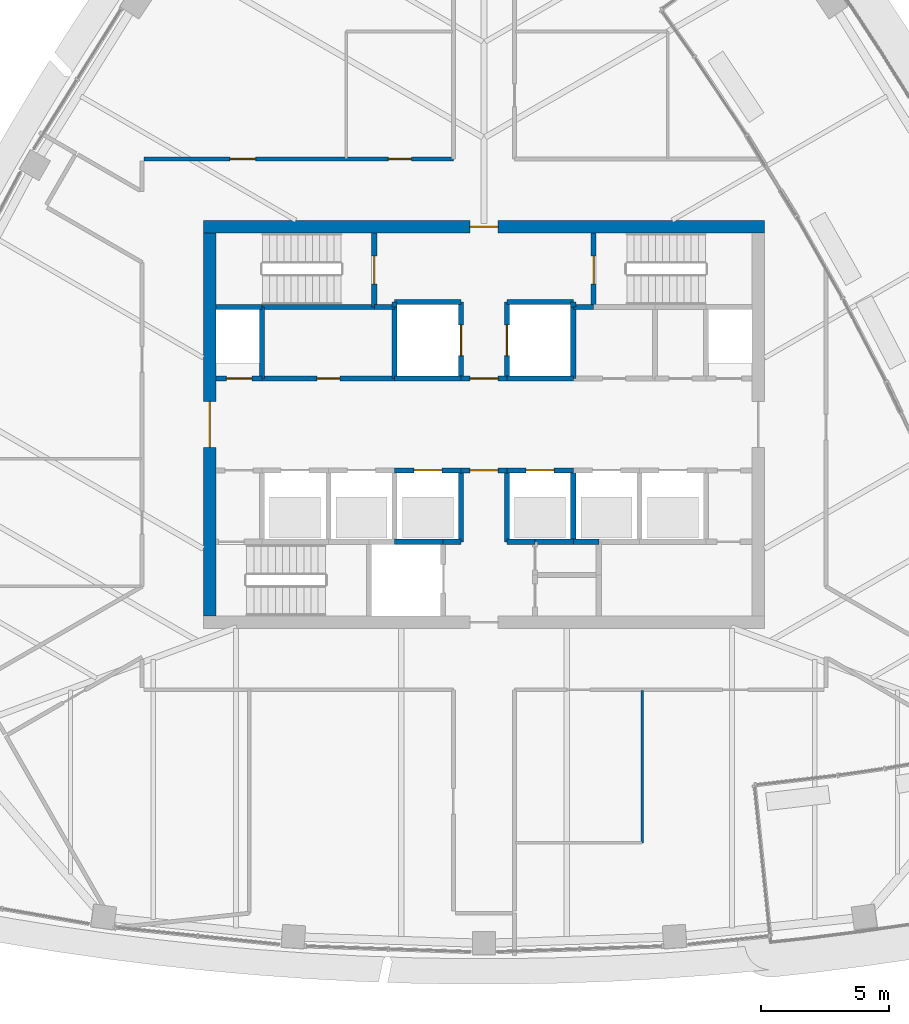
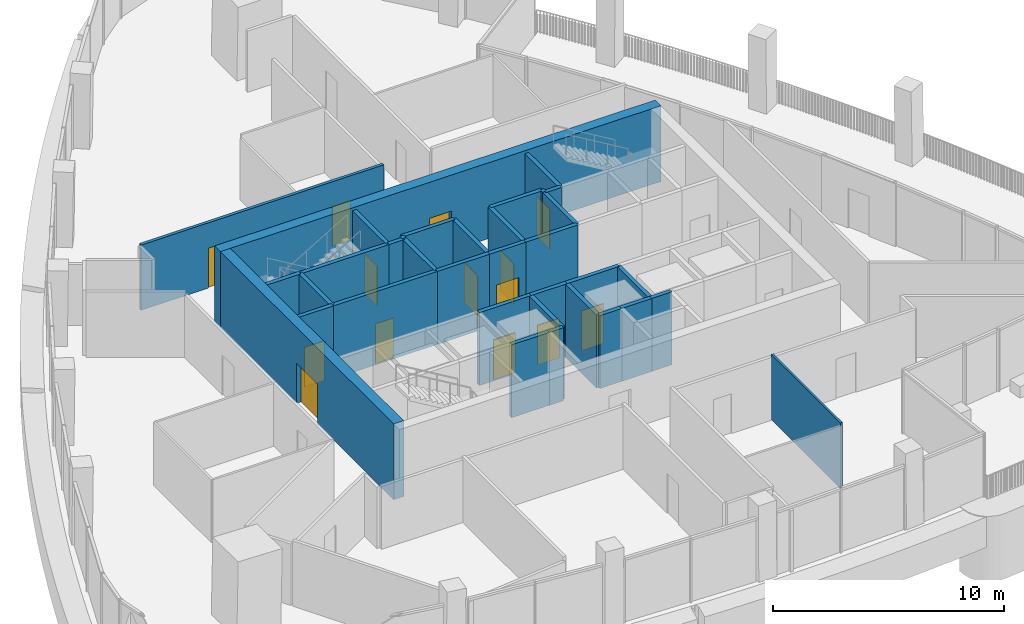
# One storey, part 12 of 20: 35 walls, 14 doors, 14 openings.
"""IFC4 building model written with IfcOpenShell, lengths in metres."""

from ifc_helpers import new_model, si_unit, direction, frame, frame_2d, origin, place, context, subcontext, project, spatial, rectangle, extrude, material, layer, layer_set, type_object, element, fill, save


model = new_model("IFC4")

# Units and contexts
model_context = context("Model", 3, precision=1e-05, world=origin(), true_north=direction((0.0, 1.0)))
body_context = subcontext(model_context, "Body", "Model", "MODEL_VIEW")
ifc_project = project(units=[si_unit("LENGTHUNIT", "METRE"), si_unit("AREAUNIT", "SQUARE_METRE"), si_unit("VOLUMEUNIT", "CUBIC_METRE"), si_unit("PLANEANGLEUNIT", "RADIAN"), si_unit("MASSUNIT", "GRAM", prefix="KILO")], contexts=[model_context])

# Site, building, storey
site_placement = place(None, origin())
site = spatial("IfcSite", under=ifc_project, at=site_placement, CompositionType="ELEMENT")
building_placement = place(site_placement, origin())
building = spatial("IfcBuilding", under=site, at=building_placement, Name="Sierra Prisma Convention Tower", CompositionType="ELEMENT")
storey_placement = place(building_placement, frame((0.0, 0.0, 275.0)))
storey = spatial("IfcBuildingStorey", under=building, at=storey_placement, Name="L62", CompositionType="ELEMENT", Elevation=275.0)

# Wall
ifc_material_1 = material(Name="Gypsum board partition", Category="gypsum")
ifc_layer_1 = layer(ifc_material_1, 0.10009765625)
ifc_layer_set_1 = layer_set([ifc_layer_1], Name="Bathroom partition 100")
wall_type_1 = type_object("IfcWallType", Name="Bathroom partition 100", PredefinedType="PARTITIONING", material=ifc_layer_set_1)
wall_1_placement = place(storey_placement, frame((6.199951171875, -10.429931640625, 0.0), z_axis=(0.0, 0.0, 1.0), x_axis=(0.0, -1.0, 0.0)))
element("IfcWall", 1, at=wall_1_placement, inside=storey, type_object=wall_type_1, Name="Partition L62 bath 6", PredefinedType="PARTITIONING", context=body_context, shape_type="SweptSolid", body=[
    extrude(rectangle(XDim=5.969970703125, YDim=0.10009765625, at=frame_2d((2.98486328125, 0.0))), origin(), (0.0, 0.0, 1.0), 3.449951171875),
])

# Wall, opening, door
ifc_material_2 = material(Name="Concrete C30/37", Category="concrete")
ifc_layer_2 = layer(ifc_material_2, 0.199951171875)
ifc_layer_set_2 = layer_set([ifc_layer_2], Name="Core wall RC 200 C30/37")
wall_type_2 = type_object("IfcWallType", Name="Core wall RC 200 C30/37", PredefinedType="SOLIDWALL", material=ifc_layer_set_2)
wall_2_placement = place(storey_placement, frame((-8.699951171875, 1.800048828125, 0.0), z_axis=(0.0, 0.0, 1.0), x_axis=(-1.0, 0.0, 0.0)))
wall_2 = element("IfcWall", 2, at=wall_2_placement, inside=storey, type_object=wall_type_2, Name="Core wall L62 3", PredefinedType="SOLIDWALL", context=body_context, shape_type="SweptSolid", body=[
    extrude(rectangle(XDim=1.800048828125, YDim=0.199951171875, at=frame_2d((0.89990234375, 0.0))), origin(), (0.0, 0.0, 1.0), 3.85009765625),
])
opening_1_placement = place(wall_2_placement, frame((0.39990234375, 0.0, 0.0)))
opening_1 = element("IfcOpeningElement", 3, at=opening_1_placement, cuts=wall_2, Name="Opening L62-D015", PredefinedType="OPENING", context=body_context, shape_type="SweptSolid", body=[
    extrude(rectangle(XDim=1.0, YDim=2.10009765625, at=frame_2d((0.5, 1.050048828125))), frame((0.0, 0.10009765625, 0.0), z_axis=(0.0, -1.0, 0.0), x_axis=(1.0, 0.0, 0.0)), (0.0, 0.0, 1.0), 0.199951171875),
])
ifc_material_3 = material(Name="Steel fire door leaf", Category="steel")
door_type_1 = type_object("IfcDoorType", Name="Door 1000x2100 FD60S", OperationType="SINGLE_SWING_LEFT", PredefinedType="DOOR", material=ifc_material_3)
door_1_placement = place(opening_1_placement, origin())
door_1 = element("IfcDoor", 4, at=door_1_placement, inside=storey, type_object=door_type_1, Name="Door L62 24", OperationType="SINGLE_SWING_RIGHT", OverallHeight=2.10009765625, OverallWidth=1.0, PredefinedType="DOOR", context=body_context, shape_type="SweptSolid", body=[
    extrude(rectangle(XDim=1.0, YDim=2.10009765625, at=frame_2d((0.5, 1.050048828125))), frame((0.0, 0.02490234375, 0.0), z_axis=(0.0, -1.0, 0.0), x_axis=(1.0, 0.0, 0.0)), (0.0, 0.0, 1.0), 0.050048828125),
])
fill(opening_1, door_1)

# Wall
wall_3_placement = place(storey_placement, frame((-8.699951171875, 4.60009765625, 0.0), z_axis=(0.0, 0.0, 1.0), x_axis=(-1.0, 0.0, 0.0)))
element("IfcWall", 5, at=wall_3_placement, inside=storey, type_object=wall_type_2, Name="Core wall L62 4", PredefinedType="SOLIDWALL", context=body_context, shape_type="SweptSolid", body=[
    extrude(rectangle(XDim=1.800048828125, YDim=0.199951171875, at=frame_2d((0.89990234375, 0.0))), origin(), (0.0, 0.0, 1.0), 3.85009765625),
])

# Wall, opening, door
wall_4_placement = place(storey_placement, frame((-8.699951171875, 1.800048828125, 0.0), z_axis=(0.0, 0.0, 1.0), x_axis=(1.0, 0.0, 0.0)))
wall_4 = element("IfcWall", 6, at=wall_4_placement, inside=storey, type_object=wall_type_2, Name="Core wall L62 8", PredefinedType="SOLIDWALL", context=body_context, shape_type="SweptSolid", body=[
    extrude(rectangle(XDim=5.199951171875, YDim=0.199951171875, at=frame_2d((2.60009765625, 0.0))), origin(), (0.0, 0.0, 1.0), 3.85009765625),
])
opening_2_placement = place(wall_4_placement, frame((2.14990234375, 0.0, 0.0)))
opening_2 = element("IfcOpeningElement", 7, at=opening_2_placement, cuts=wall_4, Name="Opening L62-D022", PredefinedType="OPENING", context=body_context, shape_type="SweptSolid", body=[
    extrude(rectangle(XDim=0.89990234375, YDim=2.10009765625, at=frame_2d((0.449951171875, 1.050048828125))), frame((0.0, 0.10009765625, 0.0), z_axis=(0.0, -1.0, 0.0), x_axis=(1.0, 0.0, 0.0)), (0.0, 0.0, 1.0), 0.199951171875),
])
ifc_material_4 = material(Name="Steel fire door leaf", Category="steel")
door_type_2 = type_object("IfcDoorType", Name="Door 900x2100 FD30S", OperationType="SINGLE_SWING_LEFT", PredefinedType="DOOR", material=ifc_material_4)
door_2_placement = place(opening_2_placement, origin())
door_2 = element("IfcDoor", 8, at=door_2_placement, inside=storey, type_object=door_type_2, Name="Door L62 31", OperationType="SINGLE_SWING_LEFT", OverallHeight=2.10009765625, OverallWidth=0.89990234375, PredefinedType="DOOR", context=body_context, shape_type="SweptSolid", body=[
    extrude(rectangle(XDim=0.89990234375, YDim=2.10009765625, at=frame_2d((0.449951171875, 1.050048828125))), frame((0.0, 0.02490234375, 0.0), z_axis=(0.0, -1.0, 0.0), x_axis=(1.0, 0.0, 0.0)), (0.0, 0.0, 1.0), 0.050048828125),
])
fill(opening_2, door_2)

# Walls
wall_5_placement = place(storey_placement, frame((-8.699951171875, 4.60009765625, 0.0), z_axis=(0.0, 0.0, 1.0), x_axis=(0.0, -1.0, 0.0)))
element("IfcWall", 9, at=wall_5_placement, inside=storey, type_object=wall_type_2, Name="Core wall L62 9", PredefinedType="SOLIDWALL", context=body_context, shape_type="SweptSolid", body=[
    extrude(rectangle(XDim=2.800048828125, YDim=0.199951171875, at=frame_2d((1.39990234375, 0.0))), origin(), (0.0, 0.0, 1.0), 3.85009765625),
])
wall_6_placement = place(storey_placement, frame((-4.300048828125, 4.60009765625, 0.0), z_axis=(0.0, 0.0, 1.0), x_axis=(-1.0, 0.0, 0.0)))
element("IfcWall", 10, at=wall_6_placement, inside=storey, type_object=wall_type_2, Name="Core wall L62 10", PredefinedType="SOLIDWALL", context=body_context, shape_type="SweptSolid", body=[
    extrude(rectangle(XDim=4.39990234375, YDim=0.199951171875, at=frame_2d((2.199951171875, 0.0))), origin(), (0.0, 0.0, 1.0), 3.85009765625),
])
wall_7_placement = place(storey_placement, frame((-3.5, 4.60009765625, 0.0), z_axis=(0.0, 0.0, 1.0), x_axis=(-1.0, 0.0, 0.0)))
element("IfcWall", 11, at=wall_7_placement, inside=storey, type_object=wall_type_2, Name="Core wall L62 16", PredefinedType="SOLIDWALL", context=body_context, shape_type="SweptSolid", body=[
    extrude(rectangle(XDim=0.800048828125, YDim=0.199951171875, at=frame_2d((0.39990234375, 0.0))), origin(), (0.0, 0.0, 1.0), 3.85009765625),
])

# Wall, opening, door
wall_8_placement = place(storey_placement, frame((-4.300048828125, 4.60009765625, 0.0), z_axis=(0.0, 0.0, 1.0), x_axis=(0.0, 1.0, 0.0)))
wall_8 = element("IfcWall", 12, at=wall_8_placement, inside=storey, type_object=wall_type_2, Name="Core wall L62 17", PredefinedType="SOLIDWALL", context=body_context, shape_type="SweptSolid", body=[
    extrude(rectangle(XDim=2.89990234375, YDim=0.199951171875, at=frame_2d((1.449951171875, 0.0))), origin(), (0.0, 0.0, 1.0), 3.85009765625),
])
opening_3_placement = place(wall_8_placement, frame((0.89990234375, 0.0, 0.0)))
opening_3 = element("IfcOpeningElement", 13, at=opening_3_placement, cuts=wall_8, Name="Opening L62-D018", PredefinedType="OPENING", context=body_context, shape_type="SweptSolid", body=[
    extrude(rectangle(XDim=1.10009765625, YDim=2.10009765625, at=frame_2d((0.550048828125, 1.050048828125))), frame((0.0, 0.10009765625, 0.0), z_axis=(0.0, -1.0, 0.0), x_axis=(1.0, 0.0, 0.0)), (0.0, 0.0, 1.0), 0.199951171875),
])
ifc_material_5 = material(Name="Steel fire door leaf", Category="steel")
door_type_3 = type_object("IfcDoorType", Name="Door 1100x2100 FD90S", OperationType="SINGLE_SWING_LEFT", PredefinedType="DOOR", material=ifc_material_5)
door_3_placement = place(opening_3_placement, origin())
door_3 = element("IfcDoor", 14, at=door_3_placement, inside=storey, type_object=door_type_3, Name="Door L62 27", OperationType="SINGLE_SWING_LEFT", OverallHeight=2.10009765625, OverallWidth=1.10009765625, PredefinedType="DOOR", context=body_context, shape_type="SweptSolid", body=[
    extrude(rectangle(XDim=1.10009765625, YDim=2.10009765625, at=frame_2d((0.550048828125, 1.050048828125))), frame((0.0, 0.02490234375, 0.0), z_axis=(0.0, -1.0, 0.0), x_axis=(1.0, 0.0, 0.0)), (0.0, 0.0, 1.0), 0.050048828125),
])
fill(opening_3, door_3)

# Wall
wall_9_placement = place(storey_placement, frame((-3.5, -4.60009765625, 0.0), z_axis=(0.0, 0.0, 1.0), x_axis=(1.0, 0.0, 0.0)))
element("IfcWall", 15, at=wall_9_placement, inside=storey, type_object=wall_type_2, Name="Core wall L62 18", PredefinedType="SOLIDWALL", context=body_context, shape_type="SweptSolid", body=[
    extrude(rectangle(XDim=1.89990234375, YDim=0.199951171875, at=frame_2d((0.949951171875, 0.0))), origin(), (0.0, 0.0, 1.0), 3.85009765625),
])

# Wall, opening, door
wall_10_placement = place(storey_placement, frame((-3.5, -1.800048828125, 0.0), z_axis=(0.0, 0.0, 1.0), x_axis=(1.0, 0.0, 0.0)))
wall_10 = element("IfcWall", 16, at=wall_10_placement, inside=storey, type_object=wall_type_2, Name="Core wall L62 20", PredefinedType="SOLIDWALL", context=body_context, shape_type="SweptSolid", body=[
    extrude(rectangle(XDim=2.60009765625, YDim=0.199951171875, at=frame_2d((1.300048828125, 0.0))), origin(), (0.0, 0.0, 1.0), 3.85009765625),
])
opening_4_placement = place(wall_10_placement, frame((0.75, 0.0, 0.0)))
opening_4 = element("IfcOpeningElement", 17, at=opening_4_placement, cuts=wall_10, Name="Opening L62-D005", PredefinedType="OPENING", context=body_context, shape_type="SweptSolid", body=[
    extrude(rectangle(XDim=1.10009765625, YDim=2.10009765625, at=frame_2d((0.550048828125, 1.050048828125))), frame((0.0, 0.10009765625, 0.0), z_axis=(0.0, -1.0, 0.0), x_axis=(1.0, 0.0, 0.0)), (0.0, 0.0, 1.0), 0.199951171875),
])
ifc_material_6 = material(Name="Steel fire door leaf", Category="steel")
door_type_4 = type_object("IfcDoorType", Name="Door 1100x2100 EI 90 sliding lift landing", OperationType="SLIDING_TO_LEFT", PredefinedType="DOOR", material=ifc_material_6)
door_4_placement = place(opening_4_placement, origin())
door_4 = element("IfcDoor", 18, at=door_4_placement, inside=storey, type_object=door_type_4, Name="Door L62 14", OperationType="SLIDING_TO_RIGHT", OverallHeight=2.10009765625, OverallWidth=1.10009765625, PredefinedType="DOOR", context=body_context, shape_type="SweptSolid", body=[
    extrude(rectangle(XDim=1.10009765625, YDim=2.10009765625, at=frame_2d((0.550048828125, 1.050048828125))), frame((0.0, 0.02490234375, 0.0), z_axis=(0.0, -1.0, 0.0), x_axis=(1.0, 0.0, 0.0)), (0.0, 0.0, 1.0), 0.050048828125),
])
fill(opening_4, door_4)

# Walls
wall_11_placement = place(storey_placement, frame((-0.89990234375, 1.800048828125, 0.0), z_axis=(0.0, 0.0, 1.0), x_axis=(-1.0, 0.0, 0.0)))
element("IfcWall", 19, at=wall_11_placement, inside=storey, type_object=wall_type_2, Name="Core wall L62 21", PredefinedType="SOLIDWALL", context=body_context, shape_type="SweptSolid", body=[
    extrude(rectangle(XDim=2.60009765625, YDim=0.199951171875, at=frame_2d((1.300048828125, 0.0))), origin(), (0.0, 0.0, 1.0), 3.85009765625),
])
wall_12_placement = place(storey_placement, frame((-3.5, 1.800048828125, 0.0), z_axis=(0.0, 0.0, 1.0), x_axis=(0.0, 1.0, 0.0)))
element("IfcWall", 20, at=wall_12_placement, inside=storey, type_object=wall_type_2, Name="Core wall L62 22", PredefinedType="SOLIDWALL", context=body_context, shape_type="SweptSolid", body=[
    extrude(rectangle(XDim=2.800048828125, YDim=0.199951171875, at=frame_2d((1.39990234375, 0.0))), origin(), (0.0, 0.0, 1.0), 3.85009765625),
])

# Wall, opening, door
wall_13_placement = place(storey_placement, frame((-0.89990234375, 1.800048828125, 0.0), z_axis=(0.0, 0.0, 1.0), x_axis=(0.0, 1.0, 0.0)))
wall_13 = element("IfcWall", 21, at=wall_13_placement, inside=storey, type_object=wall_type_2, Name="Core wall L62 23", PredefinedType="SOLIDWALL", context=body_context, shape_type="SweptSolid", body=[
    extrude(rectangle(XDim=3.0, YDim=0.199951171875, at=frame_2d((1.5, 0.0))), origin(), (0.0, 0.0, 1.0), 3.85009765625),
])
opening_5_placement = place(wall_13_placement, frame((0.89990234375, 0.0, 0.0)))
opening_5 = element("IfcOpeningElement", 22, at=opening_5_placement, cuts=wall_13, Name="Opening L62-D009", PredefinedType="OPENING", context=body_context, shape_type="SweptSolid", body=[
    extrude(rectangle(XDim=1.199951171875, YDim=2.10009765625, at=frame_2d((0.60009765625, 1.050048828125))), frame((0.0, 0.10009765625, 0.0), z_axis=(0.0, -1.0, 0.0), x_axis=(1.0, 0.0, 0.0)), (0.0, 0.0, 1.0), 0.199951171875),
])
ifc_material_7 = material(Name="Steel fire door leaf", Category="steel")
door_type_5 = type_object("IfcDoorType", Name="Door 1200x2100 EI 90 sliding lift landing", OperationType="SLIDING_TO_LEFT", PredefinedType="DOOR", material=ifc_material_7)
door_5_placement = place(opening_5_placement, origin())
door_5 = element("IfcDoor", 23, at=door_5_placement, inside=storey, type_object=door_type_5, Name="Door L62 18", OperationType="SLIDING_TO_RIGHT", OverallHeight=2.10009765625, OverallWidth=1.199951171875, PredefinedType="DOOR", context=body_context, shape_type="SweptSolid", body=[
    extrude(rectangle(XDim=1.199951171875, YDim=2.10009765625, at=frame_2d((0.60009765625, 1.050048828125))), frame((0.0, 0.02490234375, 0.0), z_axis=(0.0, -1.0, 0.0), x_axis=(1.0, 0.0, 0.0)), (0.0, 0.0, 1.0), 0.050048828125),
])
fill(opening_5, door_5)

# Walls
wall_14_placement = place(storey_placement, frame((-0.89990234375, 4.800048828125, 0.0), z_axis=(0.0, 0.0, 1.0), x_axis=(-1.0, 0.0, 0.0)))
element("IfcWall", 24, at=wall_14_placement, inside=storey, type_object=wall_type_2, Name="Core wall L62 24", PredefinedType="SOLIDWALL", context=body_context, shape_type="SweptSolid", body=[
    extrude(rectangle(XDim=2.60009765625, YDim=0.199951171875, at=frame_2d((1.300048828125, 0.0))), origin(), (0.0, 0.0, 1.0), 3.85009765625),
])
wall_15_placement = place(storey_placement, frame((-3.5, 4.800048828125, 0.0), z_axis=(0.0, 0.0, 1.0), x_axis=(0.0, -1.0, 0.0)))
element("IfcWall", 25, at=wall_15_placement, inside=storey, type_object=wall_type_2, Name="Core wall L62 25", PredefinedType="SOLIDWALL", context=body_context, shape_type="SweptSolid", body=[
    extrude(rectangle(XDim=0.199951171875, YDim=0.199951171875, at=frame_2d((0.10009765625, 0.0))), origin(), (0.0, 0.0, 1.0), 3.85009765625),
])
wall_16_placement = place(storey_placement, frame((-1.60009765625, -4.60009765625, 0.0), z_axis=(0.0, 0.0, 1.0), x_axis=(1.0, 0.0, 0.0)))
element("IfcWall", 26, at=wall_16_placement, inside=storey, type_object=wall_type_2, Name="Core wall L62 27", PredefinedType="SOLIDWALL", context=body_context, shape_type="SweptSolid", body=[
    extrude(rectangle(XDim=0.7001953125, YDim=0.199951171875, at=frame_2d((0.35009765625, 0.0))), origin(), (0.0, 0.0, 1.0), 3.85009765625),
])
wall_17_placement = place(storey_placement, frame((-0.89990234375, -4.60009765625, 0.0), z_axis=(0.0, 0.0, 1.0), x_axis=(0.0, 1.0, 0.0)))
element("IfcWall", 27, at=wall_17_placement, inside=storey, type_object=wall_type_2, Name="Core wall L62 28", PredefinedType="SOLIDWALL", context=body_context, shape_type="SweptSolid", body=[
    extrude(rectangle(XDim=2.800048828125, YDim=0.199951171875, at=frame_2d((1.39990234375, 0.0))), origin(), (0.0, 0.0, 1.0), 3.85009765625),
])

# Wall, opening, door
wall_18_placement = place(storey_placement, frame((-0.89990234375, -1.800048828125, 0.0), z_axis=(0.0, 0.0, 1.0), x_axis=(1.0, 0.0, 0.0)))
wall_18 = element("IfcWall", 28, at=wall_18_placement, inside=storey, type_object=wall_type_2, Name="Core wall L62 29", PredefinedType="SOLIDWALL", context=body_context, shape_type="SweptSolid", body=[
    extrude(rectangle(XDim=1.7998046875, YDim=0.199951171875, at=frame_2d((0.89990234375, 0.0))), origin(), (0.0, 0.0, 1.0), 3.85009765625),
])
opening_6_placement = place(wall_18_placement, frame((0.35009765625, 0.0, 0.0)))
opening_6 = element("IfcOpeningElement", 29, at=opening_6_placement, cuts=wall_18, Name="Opening L62-D014", PredefinedType="OPENING", context=body_context, shape_type="SweptSolid", body=[
    extrude(rectangle(XDim=1.10009765625, YDim=2.10009765625, at=frame_2d((0.550048828125, 1.050048828125))), frame((0.0, 0.10009765625, 0.0), z_axis=(0.0, -1.0, 0.0), x_axis=(1.0, 0.0, 0.0)), (0.0, 0.0, 1.0), 0.199951171875),
])
ifc_material_8 = material(Name="Steel fire door leaf", Category="steel")
door_type_6 = type_object("IfcDoorType", Name="Door 1100x2100 FD30S", OperationType="SINGLE_SWING_LEFT", PredefinedType="DOOR", material=ifc_material_8)
door_6_placement = place(opening_6_placement, origin())
door_6 = element("IfcDoor", 30, at=door_6_placement, inside=storey, type_object=door_type_6, Name="Door L62 23", OperationType="SINGLE_SWING_LEFT", OverallHeight=2.10009765625, OverallWidth=1.10009765625, PredefinedType="DOOR", context=body_context, shape_type="SweptSolid", body=[
    extrude(rectangle(XDim=1.10009765625, YDim=2.10009765625, at=frame_2d((0.550048828125, 1.050048828125))), frame((0.0, 0.02490234375, 0.0), z_axis=(0.0, -1.0, 0.0), x_axis=(1.0, 0.0, 0.0)), (0.0, 0.0, 1.0), 0.050048828125),
])
fill(opening_6, door_6)

wall_19_placement = place(storey_placement, frame((0.89990234375, 1.800048828125, 0.0), z_axis=(0.0, 0.0, 1.0), x_axis=(-1.0, 0.0, 0.0)))
wall_19 = element("IfcWall", 31, at=wall_19_placement, inside=storey, type_object=wall_type_2, Name="Core wall L62 30", PredefinedType="SOLIDWALL", context=body_context, shape_type="SweptSolid", body=[
    extrude(rectangle(XDim=1.7998046875, YDim=0.199951171875, at=frame_2d((0.89990234375, 0.0))), origin(), (0.0, 0.0, 1.0), 3.85009765625),
])
opening_7_placement = place(wall_19_placement, frame((0.35009765625, 0.0, 0.0)))
opening_7 = element("IfcOpeningElement", 32, at=opening_7_placement, cuts=wall_19, Name="Opening L62-D013", PredefinedType="OPENING", context=body_context, shape_type="SweptSolid", body=[
    extrude(rectangle(XDim=1.10009765625, YDim=2.10009765625, at=frame_2d((0.550048828125, 1.050048828125))), frame((0.0, 0.10009765625, 0.0), z_axis=(0.0, -1.0, 0.0), x_axis=(1.0, 0.0, 0.0)), (0.0, 0.0, 1.0), 0.199951171875),
])
ifc_material_9 = material(Name="Steel fire door leaf", Category="steel")
door_type_7 = type_object("IfcDoorType", Name="Door 1100x2100 FD60S", OperationType="SINGLE_SWING_LEFT", PredefinedType="DOOR", material=ifc_material_9)
door_7_placement = place(opening_7_placement, origin())
door_7 = element("IfcDoor", 33, at=door_7_placement, inside=storey, type_object=door_type_7, Name="Door L62 22", OperationType="SINGLE_SWING_RIGHT", OverallHeight=2.10009765625, OverallWidth=1.10009765625, PredefinedType="DOOR", context=body_context, shape_type="SweptSolid", body=[
    extrude(rectangle(XDim=1.10009765625, YDim=2.10009765625, at=frame_2d((0.550048828125, 1.050048828125))), frame((0.0, 0.02490234375, 0.0), z_axis=(0.0, -1.0, 0.0), x_axis=(1.0, 0.0, 0.0)), (0.0, 0.0, 1.0), 0.050048828125),
])
fill(opening_7, door_7)

wall_20_placement = place(storey_placement, frame((0.89990234375, -1.800048828125, 0.0), z_axis=(0.0, 0.0, 1.0), x_axis=(1.0, 0.0, 0.0)))
wall_20 = element("IfcWall", 34, at=wall_20_placement, inside=storey, type_object=wall_type_2, Name="Core wall L62 31", PredefinedType="SOLIDWALL", context=body_context, shape_type="SweptSolid", body=[
    extrude(rectangle(XDim=2.60009765625, YDim=0.199951171875, at=frame_2d((1.300048828125, 0.0))), origin(), (0.0, 0.0, 1.0), 3.85009765625),
])
opening_8_placement = place(wall_20_placement, frame((0.75, 0.0, 0.0)))
opening_8 = element("IfcOpeningElement", 35, at=opening_8_placement, cuts=wall_20, Name="Opening L62-D006", PredefinedType="OPENING", context=body_context, shape_type="SweptSolid", body=[
    extrude(rectangle(XDim=1.10009765625, YDim=2.10009765625, at=frame_2d((0.550048828125, 1.050048828125))), frame((0.0, 0.10009765625, 0.0), z_axis=(0.0, -1.0, 0.0), x_axis=(1.0, 0.0, 0.0)), (0.0, 0.0, 1.0), 0.199951171875),
])
door_8_placement = place(opening_8_placement, origin())
door_8 = element("IfcDoor", 36, at=door_8_placement, inside=storey, type_object=door_type_4, Name="Door L62 15", OperationType="SLIDING_TO_RIGHT", OverallHeight=2.10009765625, OverallWidth=1.10009765625, PredefinedType="DOOR", context=body_context, shape_type="SweptSolid", body=[
    extrude(rectangle(XDim=1.10009765625, YDim=2.10009765625, at=frame_2d((0.550048828125, 1.050048828125))), frame((0.0, 0.02490234375, 0.0), z_axis=(0.0, -1.0, 0.0), x_axis=(1.0, 0.0, 0.0)), (0.0, 0.0, 1.0), 0.050048828125),
])
fill(opening_8, door_8)

# Walls
wall_21_placement = place(storey_placement, frame((0.89990234375, -1.800048828125, 0.0), z_axis=(0.0, 0.0, 1.0), x_axis=(0.0, -1.0, 0.0)))
element("IfcWall", 37, at=wall_21_placement, inside=storey, type_object=wall_type_2, Name="Core wall L62 32", PredefinedType="SOLIDWALL", context=body_context, shape_type="SweptSolid", body=[
    extrude(rectangle(XDim=2.800048828125, YDim=0.199951171875, at=frame_2d((1.39990234375, 0.0))), origin(), (0.0, 0.0, 1.0), 3.85009765625),
])
wall_22_placement = place(storey_placement, frame((0.89990234375, -4.60009765625, 0.0), z_axis=(0.0, 0.0, 1.0), x_axis=(1.0, 0.0, 0.0)))
element("IfcWall", 38, at=wall_22_placement, inside=storey, type_object=wall_type_2, Name="Core wall L62 33", PredefinedType="SOLIDWALL", context=body_context, shape_type="SweptSolid", body=[
    extrude(rectangle(XDim=1.10009765625, YDim=0.199951171875, at=frame_2d((0.550048828125, 0.0))), origin(), (0.0, 0.0, 1.0), 3.85009765625),
])
wall_23_placement = place(storey_placement, frame((3.5, 1.800048828125, 0.0), z_axis=(0.0, 0.0, 1.0), x_axis=(-1.0, 0.0, 0.0)))
element("IfcWall", 39, at=wall_23_placement, inside=storey, type_object=wall_type_2, Name="Core wall L62 34", PredefinedType="SOLIDWALL", context=body_context, shape_type="SweptSolid", body=[
    extrude(rectangle(XDim=2.60009765625, YDim=0.199951171875, at=frame_2d((1.300048828125, 0.0))), origin(), (0.0, 0.0, 1.0), 3.85009765625),
])
wall_24_placement = place(storey_placement, frame((3.5, 4.60009765625, 0.0), z_axis=(0.0, 0.0, 1.0), x_axis=(0.0, 1.0, 0.0)))
element("IfcWall", 40, at=wall_24_placement, inside=storey, type_object=wall_type_2, Name="Core wall L62 35", PredefinedType="SOLIDWALL", context=body_context, shape_type="SweptSolid", body=[
    extrude(rectangle(XDim=0.199951171875, YDim=0.199951171875, at=frame_2d((0.10009765625, 0.0))), origin(), (0.0, 0.0, 1.0), 3.85009765625),
])
wall_25_placement = place(storey_placement, frame((3.5, 4.800048828125, 0.0), z_axis=(0.0, 0.0, 1.0), x_axis=(-1.0, 0.0, 0.0)))
element("IfcWall", 41, at=wall_25_placement, inside=storey, type_object=wall_type_2, Name="Core wall L62 36", PredefinedType="SOLIDWALL", context=body_context, shape_type="SweptSolid", body=[
    extrude(rectangle(XDim=2.60009765625, YDim=0.199951171875, at=frame_2d((1.300048828125, 0.0))), origin(), (0.0, 0.0, 1.0), 3.85009765625),
])

# Wall, opening, door
wall_26_placement = place(storey_placement, frame((0.89990234375, 4.800048828125, 0.0), z_axis=(0.0, 0.0, 1.0), x_axis=(0.0, -1.0, 0.0)))
wall_26 = element("IfcWall", 42, at=wall_26_placement, inside=storey, type_object=wall_type_2, Name="Core wall L62 37", PredefinedType="SOLIDWALL", context=body_context, shape_type="SweptSolid", body=[
    extrude(rectangle(XDim=3.0, YDim=0.199951171875, at=frame_2d((1.5, 0.0))), origin(), (0.0, 0.0, 1.0), 3.85009765625),
])
opening_9_placement = place(wall_26_placement, frame((0.89990234375, 0.0, 0.0)))
opening_9 = element("IfcOpeningElement", 43, at=opening_9_placement, cuts=wall_26, Name="Opening L62-D010", PredefinedType="OPENING", context=body_context, shape_type="SweptSolid", body=[
    extrude(rectangle(XDim=1.199951171875, YDim=2.10009765625, at=frame_2d((0.60009765625, 1.050048828125))), frame((0.0, 0.10009765625, 0.0), z_axis=(0.0, -1.0, 0.0), x_axis=(1.0, 0.0, 0.0)), (0.0, 0.0, 1.0), 0.199951171875),
])
door_9_placement = place(opening_9_placement, origin())
door_9 = element("IfcDoor", 44, at=door_9_placement, inside=storey, type_object=door_type_5, Name="Door L62 19", OperationType="SLIDING_TO_RIGHT", OverallHeight=2.10009765625, OverallWidth=1.199951171875, PredefinedType="DOOR", context=body_context, shape_type="SweptSolid", body=[
    extrude(rectangle(XDim=1.199951171875, YDim=2.10009765625, at=frame_2d((0.60009765625, 1.050048828125))), frame((0.0, 0.02490234375, 0.0), z_axis=(0.0, -1.0, 0.0), x_axis=(1.0, 0.0, 0.0)), (0.0, 0.0, 1.0), 0.050048828125),
])
fill(opening_9, door_9)

# Walls
wall_27_placement = place(storey_placement, frame((3.5, -4.60009765625, 0.0), z_axis=(0.0, 0.0, 1.0), x_axis=(-1.0, 0.0, 0.0)))
element("IfcWall", 45, at=wall_27_placement, inside=storey, type_object=wall_type_2, Name="Core wall L62 41", PredefinedType="SOLIDWALL", context=body_context, shape_type="SweptSolid", body=[
    extrude(rectangle(XDim=1.5, YDim=0.199951171875, at=frame_2d((0.75, 0.0))), origin(), (0.0, 0.0, 1.0), 3.85009765625),
])
wall_28_placement = place(storey_placement, frame((4.5, -4.60009765625, 0.0), z_axis=(0.0, 0.0, 1.0), x_axis=(-1.0, 0.0, 0.0)))
element("IfcWall", 46, at=wall_28_placement, inside=storey, type_object=wall_type_2, Name="Core wall L62 42", PredefinedType="SOLIDWALL", context=body_context, shape_type="SweptSolid", body=[
    extrude(rectangle(XDim=1.0, YDim=0.199951171875, at=frame_2d((0.5, 0.0))), origin(), (0.0, 0.0, 1.0), 3.85009765625),
])
for number, where, z_axis, x_axis, name in (
    (47, (3.5, -4.60009765625, 0.0), (0.0, 0.0, 1.0), (0.0, 1.0, 0.0), "Core wall L62 43"),
    (48, (3.5, 4.60009765625, 0.0), (0.0, 0.0, 1.0), (0.0, -1.0, 0.0), "Core wall L62 46"),
):
    element("IfcWall", number, at=place(storey_placement, frame(where, z_axis=z_axis, x_axis=x_axis)), inside=storey, type_object=wall_type_2, Name=name, PredefinedType="SOLIDWALL", context=body_context, shape_type="SweptSolid", body=[
        extrude(rectangle(XDim=2.800048828125, YDim=0.199951171875, at=frame_2d((1.39990234375, 0.0))), origin(), (0.0, 0.0, 1.0), 3.85009765625),
    ])
wall_29_placement = place(storey_placement, frame((4.300048828125, 4.60009765625, 0.0), z_axis=(0.0, 0.0, 1.0), x_axis=(-1.0, 0.0, 0.0)))
element("IfcWall", 49, at=wall_29_placement, inside=storey, type_object=wall_type_2, Name="Core wall L62 47", PredefinedType="SOLIDWALL", context=body_context, shape_type="SweptSolid", body=[
    extrude(rectangle(XDim=0.800048828125, YDim=0.199951171875, at=frame_2d((0.39990234375, 0.0))), origin(), (0.0, 0.0, 1.0), 3.85009765625),
])

# Wall, opening, door
wall_30_placement = place(storey_placement, frame((4.300048828125, 7.5, 0.0), z_axis=(0.0, 0.0, 1.0), x_axis=(0.0, -1.0, 0.0)))
wall_30 = element("IfcWall", 50, at=wall_30_placement, inside=storey, type_object=wall_type_2, Name="Core wall L62 49", PredefinedType="SOLIDWALL", context=body_context, shape_type="SweptSolid", body=[
    extrude(rectangle(XDim=2.89990234375, YDim=0.199951171875, at=frame_2d((1.449951171875, 0.0))), origin(), (0.0, 0.0, 1.0), 3.85009765625),
])
opening_10_placement = place(wall_30_placement, frame((0.89990234375, 0.0, 0.0)))
opening_10 = element("IfcOpeningElement", 51, at=opening_10_placement, cuts=wall_30, Name="Opening L62-D019", PredefinedType="OPENING", context=body_context, shape_type="SweptSolid", body=[
    extrude(rectangle(XDim=1.10009765625, YDim=2.10009765625, at=frame_2d((0.550048828125, 1.050048828125))), frame((0.0, 0.10009765625, 0.0), z_axis=(0.0, -1.0, 0.0), x_axis=(1.0, 0.0, 0.0)), (0.0, 0.0, 1.0), 0.199951171875),
])
door_10_placement = place(opening_10_placement, origin())
door_10 = element("IfcDoor", 52, at=door_10_placement, inside=storey, type_object=door_type_3, Name="Door L62 28", OperationType="SINGLE_SWING_LEFT", OverallHeight=2.10009765625, OverallWidth=1.10009765625, PredefinedType="DOOR", context=body_context, shape_type="SweptSolid", body=[
    extrude(rectangle(XDim=1.10009765625, YDim=2.10009765625, at=frame_2d((0.550048828125, 1.050048828125))), frame((0.0, 0.02490234375, 0.0), z_axis=(0.0, -1.0, 0.0), x_axis=(1.0, 0.0, 0.0)), (0.0, 0.0, 1.0), 0.050048828125),
])
fill(opening_10, door_10)

ifc_material_10 = material(Name="Concrete C50/60", Category="concrete")
ifc_layer_3 = layer(ifc_material_10, 0.5)
ifc_layer_set_3 = layer_set([ifc_layer_3], Name="Core wall RC 500 C50/60")
wall_type_3 = type_object("IfcWallType", Name="Core wall RC 500 C50/60", PredefinedType="SHEAR", material=ifc_layer_set_3)
wall_31_placement = place(storey_placement, frame((-11.0, 7.75, 0.0), z_axis=(0.0, 0.0, 1.0), x_axis=(1.0, 0.0, 0.0)))
wall_31 = element("IfcWall", 53, at=wall_31_placement, inside=storey, type_object=wall_type_3, Name="Core wall N L62", PredefinedType="SHEAR", context=body_context, shape_type="SweptSolid", body=[
    extrude(rectangle(XDim=22.0, YDim=0.5, at=frame_2d((11.0, 0.0))), origin(), (0.0, 0.0, 1.0), 4.0),
])
opening_11_placement = place(wall_31_placement, frame((10.449951171875, 0.0, 0.0)))
opening_11 = element("IfcOpeningElement", 54, at=opening_11_placement, cuts=wall_31, Name="Opening L62-D039", PredefinedType="OPENING", context=body_context, shape_type="SweptSolid", body=[
    extrude(rectangle(XDim=1.10009765625, YDim=2.10009765625, at=frame_2d((0.550048828125, 1.050048828125))), frame((0.0, 0.25, 0.0), z_axis=(0.0, -1.0, 0.0), x_axis=(1.0, 0.0, 0.0)), (0.0, 0.0, 1.0), 0.5),
])
door_11_placement = place(opening_11_placement, origin())
door_11 = element("IfcDoor", 55, at=door_11_placement, inside=storey, type_object=door_type_7, Name="Door L62 38", OperationType="SINGLE_SWING_RIGHT", OverallHeight=2.10009765625, OverallWidth=1.10009765625, PredefinedType="DOOR", context=body_context, shape_type="SweptSolid", body=[
    extrude(rectangle(XDim=1.10009765625, YDim=2.10009765625, at=frame_2d((0.550048828125, 1.050048828125))), frame((0.0, 0.02490234375, 0.0), z_axis=(0.0, -1.0, 0.0), x_axis=(1.0, 0.0, 0.0)), (0.0, 0.0, 1.0), 0.050048828125),
])
fill(opening_11, door_11)

wall_32_placement = place(storey_placement, frame((-10.75, -7.5, 0.0), z_axis=(0.0, 0.0, 1.0), x_axis=(0.0, 1.0, 0.0)))
wall_32 = element("IfcWall", 56, at=wall_32_placement, inside=storey, type_object=wall_type_3, Name="Core wall W L62", PredefinedType="SHEAR", context=body_context, shape_type="SweptSolid", body=[
    extrude(rectangle(XDim=15.0, YDim=0.5, at=frame_2d((7.5, 0.0))), origin(), (0.0, 0.0, 1.0), 4.0),
])
opening_12_placement = place(wall_32_placement, frame((6.60009765625, 0.0, 0.0)))
opening_12 = element("IfcOpeningElement", 57, at=opening_12_placement, cuts=wall_32, Name="Opening L62-D041", PredefinedType="OPENING", context=body_context, shape_type="SweptSolid", body=[
    extrude(rectangle(XDim=1.800048828125, YDim=2.10009765625, at=frame_2d((0.89990234375, 1.050048828125))), frame((0.0, 0.25, 0.0), z_axis=(0.0, -1.0, 0.0), x_axis=(1.0, 0.0, 0.0)), (0.0, 0.0, 1.0), 0.5),
])
ifc_material_11 = material(Name="Steel fire door leaf", Category="steel")
door_type_8 = type_object("IfcDoorType", Name="Door 1800x2100 FD60S", OperationType="DOUBLE_DOOR_SINGLE_SWING", PredefinedType="DOOR", material=ifc_material_11)
door_12_placement = place(opening_12_placement, origin())
door_12 = element("IfcDoor", 58, at=door_12_placement, inside=storey, type_object=door_type_8, Name="Door L62 36", OperationType="DOUBLE_DOOR_SINGLE_SWING", OverallHeight=2.10009765625, OverallWidth=1.800048828125, PredefinedType="DOOR", context=body_context, shape_type="SweptSolid", body=[
    extrude(rectangle(XDim=1.800048828125, YDim=2.10009765625, at=frame_2d((0.89990234375, 1.050048828125))), frame((0.0, 0.02490234375, 0.0), z_axis=(0.0, -1.0, 0.0), x_axis=(1.0, 0.0, 0.0)), (0.0, 0.0, 1.0), 0.050048828125),
])
fill(opening_12, door_12)

# Wall, openings, doors
ifc_material_12 = material(Name="Gypsum board partition", Category="gypsum")
ifc_layer_4 = layer(ifc_material_12, 0.14990234375)
ifc_layer_set_4 = layer_set([ifc_layer_4], Name="Corridor wall 150 gypsum EI 60")
wall_type_4 = type_object("IfcWallType", Name="Corridor wall 150 gypsum EI 60", PredefinedType="PARTITIONING", material=ifc_layer_set_4)
wall_33_placement = place(storey_placement, frame((-1.199951171875, 10.39990234375, 0.0), z_axis=(0.0, 0.0, 1.0), x_axis=(-1.0, 0.0, 0.0)))
wall_33 = element("IfcWall", 59, at=wall_33_placement, inside=storey, type_object=wall_type_4, Name="Partition L62 corr 13", PredefinedType="PARTITIONING", context=body_context, shape_type="SweptSolid", body=[
    extrude(rectangle(XDim=12.1201171875, YDim=0.14990234375, at=frame_2d((6.06005859375, 0.0))), origin(), (0.0, 0.0, 1.0), 3.443115234375),
])
opening_13_placement = place(wall_33_placement, frame((1.64990234375, 0.0, 0.0)))
opening_13 = element("IfcOpeningElement", 60, at=opening_13_placement, cuts=wall_33, Name="Opening L62-D029", PredefinedType="OPENING", context=body_context, shape_type="SweptSolid", body=[
    extrude(rectangle(XDim=0.89990234375, YDim=2.10009765625, at=frame_2d((0.449951171875, 1.050048828125))), frame((0.0, 0.074951171875, 0.0), z_axis=(0.0, -1.0, 0.0), x_axis=(1.0, 0.0, 0.0)), (0.0, 0.0, 1.0), 0.14990234375),
])
opening_14_placement = place(wall_33_placement, frame((7.75, 0.0, 0.0)))
opening_14 = element("IfcOpeningElement", 61, at=opening_14_placement, cuts=wall_33, Name="Opening L62-D030", PredefinedType="OPENING", context=body_context, shape_type="SweptSolid", body=[
    extrude(rectangle(XDim=1.0, YDim=2.10009765625, at=frame_2d((0.5, 1.050048828125))), frame((0.0, 0.074951171875, 0.0), z_axis=(0.0, -1.0, 0.0), x_axis=(1.0, 0.0, 0.0)), (0.0, 0.0, 1.0), 0.14990234375),
])
ifc_material_13 = material(Name="Steel fire door leaf", Category="steel")
door_type_9 = type_object("IfcDoorType", Name="Door 1000x2100 FD30S", OperationType="SINGLE_SWING_LEFT", PredefinedType="DOOR", material=ifc_material_13)
door_13_placement = place(opening_14_placement, origin())
door_13 = element("IfcDoor", 62, at=door_13_placement, inside=storey, type_object=door_type_9, Name="Door L62 4", OperationType="SINGLE_SWING_RIGHT", OverallHeight=2.10009765625, OverallWidth=1.0, PredefinedType="DOOR", context=body_context, shape_type="SweptSolid", body=[
    extrude(rectangle(XDim=1.0, YDim=2.10009765625, at=frame_2d((0.5, 1.050048828125))), frame((0.0, 0.02490234375, 0.0), z_axis=(0.0, -1.0, 0.0), x_axis=(1.0, 0.0, 0.0)), (0.0, 0.0, 1.0), 0.050048828125),
])
fill(opening_14, door_13)
door_14_placement = place(opening_13_placement, origin())
door_14 = element("IfcDoor", 63, at=door_14_placement, inside=storey, type_object=door_type_2, Name="Door L62 3", OperationType="SINGLE_SWING_LEFT", OverallHeight=2.10009765625, OverallWidth=0.89990234375, PredefinedType="DOOR", context=body_context, shape_type="SweptSolid", body=[
    extrude(rectangle(XDim=0.89990234375, YDim=2.10009765625, at=frame_2d((0.449951171875, 1.050048828125))), frame((0.0, 0.02490234375, 0.0), z_axis=(0.0, -1.0, 0.0), x_axis=(1.0, 0.0, 0.0)), (0.0, 0.0, 1.0), 0.050048828125),
])
fill(opening_13, door_14)

save(model, "model.ifc")
